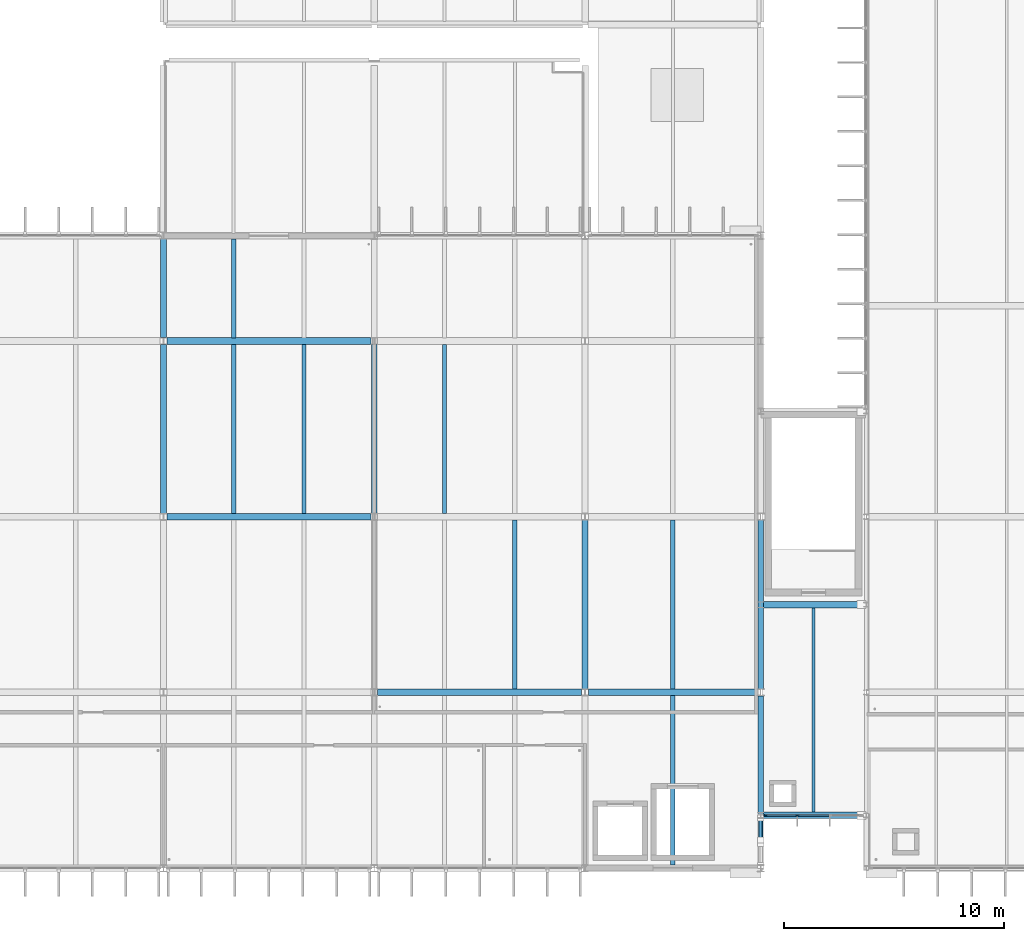
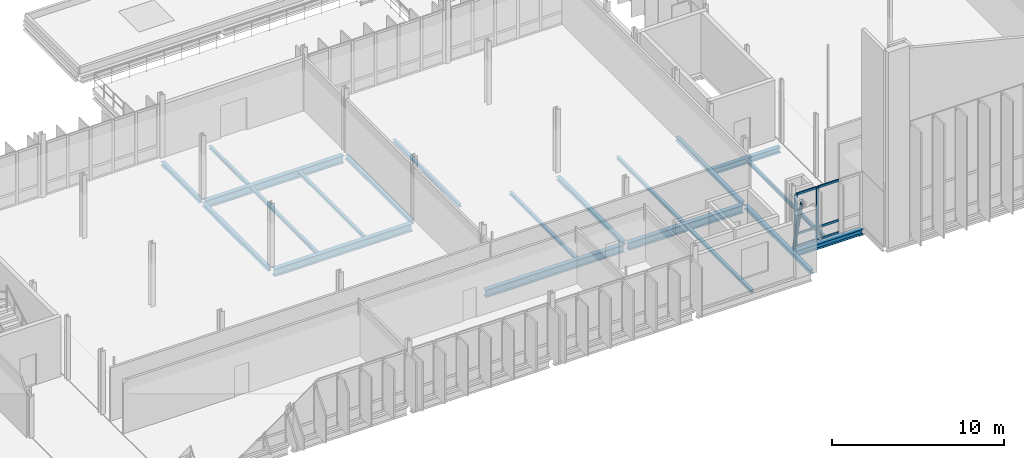
# One storey, part 35 of 110: 20 beams, 9 members, 1 element without a shape of its own.
"""IFC4 building model written with IfcOpenShell, lengths in metres."""

from ifc_helpers import new_model, si_unit, direction, frame, origin, origin_2d, place, context, subcontext, project, spatial, rectangle, hollow_circle, i_section, extrude, material, material_profile, profile_set, type_object, element, aggregate, save


model = new_model("IFC4")

# Units and contexts
model_context = context("Model", 3, precision=1e-05, world=origin(), true_north=direction((0.0, 1.0)))
body_context = subcontext(model_context, "Body", "Model", "MODEL_VIEW")
ifc_project = project(units=[si_unit("LENGTHUNIT", "METRE"), si_unit("AREAUNIT", "SQUARE_METRE"), si_unit("VOLUMEUNIT", "CUBIC_METRE"), si_unit("PLANEANGLEUNIT", "RADIAN"), si_unit("MASSUNIT", "GRAM", prefix="KILO")], contexts=[model_context])

# Site, building, storey
site_placement = place(None, origin())
site = spatial("IfcSite", under=ifc_project, at=site_placement, CompositionType="ELEMENT")
building_placement = place(site_placement, origin())
building = spatial("IfcBuilding", under=site, at=building_placement, Name="Dunescarp Central Library", CompositionType="ELEMENT")
storey_placement = place(building_placement, frame((0.0, 0.0, 9.60009765625)))
storey = spatial("IfcBuildingStorey", under=building, at=storey_placement, Name="L02", CompositionType="ELEMENT", Elevation=9.60009765625)

# Curtain wall, members
ifc_material_1 = material(Name="Marine-grade anodised aluminium 6063-T6", Category="aluminium")
curtain_wall_type = type_object("IfcCurtainWallType", Name="ARC-CW-LINK", PredefinedType="USERDEFINED", material=ifc_material_1)
curtain_wall_placement = place(storey_placement, origin())
curtain_wall = element("IfcCurtainWall", 1, at=curtain_wall_placement, inside=storey, type_object=curtain_wall_type, Name="L02 curtain wall CW-GL3-S-L02", ObjectType="GLAZED_LINK_WALL", PredefinedType="USERDEFINED")
ifc_material_profile_1 = material_profile(ifc_material_1, rectangle(XDim=0.080078125, YDim=0.179931640625, at=origin_2d()), Name="AL 80x180")
ifc_profile_set_1 = profile_set([ifc_material_profile_1], Name="Marine-grade anodised aluminium 6063-T6")
member_type_1 = type_object("IfcMemberType", Name="ARC-CWM-180", PredefinedType="MULLION", material=ifc_profile_set_1)
member_1_placement = place(storey_placement, frame((126.458251953125, 7.199951171875, 0.0), z_axis=(0.0, 0.0, 1.0), x_axis=(0.0, -1.0, 0.0)))
member_1 = element("IfcMember", 2, at=member_1_placement, type_object=member_type_1, Name="CW-GL3-S-L02 mullion 3", PredefinedType="MULLION", context=body_context, shape_type="SweptSolid", body=[
    extrude(rectangle(XDim=0.080078125, YDim=0.179931640625, at=origin_2d()), origin(), (0.0, 0.0, 1.0), 3.77490234375),
])
member_2_placement = place(storey_placement, frame((125.014892578125, 7.199951171875, 0.0), z_axis=(0.0, 0.0, 1.0), x_axis=(0.0, -1.0, 0.0)))
member_2 = element("IfcMember", 3, at=member_2_placement, type_object=member_type_1, Name="CW-GL3-S-L02 mullion 4", PredefinedType="MULLION", context=body_context, shape_type="SweptSolid", body=[
    extrude(rectangle(XDim=0.080078125, YDim=0.179931640625, at=origin_2d()), origin(), (0.0, 0.0, 1.0), 3.77490234375),
])
ifc_material_profile_2 = material_profile(ifc_material_1, rectangle(XDim=0.080078125, YDim=0.14990234375, at=origin_2d()), Name="AL 80x150")
ifc_profile_set_2 = profile_set([ifc_material_profile_2], Name="Marine-grade anodised aluminium 6063-T6")
member_type_2 = type_object("IfcMemberType", Name="ARC-CWT-150", PredefinedType="USERDEFINED", material=ifc_profile_set_2)
member_3_placement = place(storey_placement, frame((127.901611328125, 7.199951171875, 0.039794921875), z_axis=(-1.0, 0.0, 0.0), x_axis=(0.0, -1.0, 0.0)))
member_3 = element("IfcMember", 4, at=member_3_placement, type_object=member_type_2, Name="CW-GL3-S-L02 transom 2.1", ObjectType="TRANSOM", PredefinedType="USERDEFINED", context=body_context, shape_type="SweptSolid", body=[
    extrude(rectangle(XDim=0.080078125, YDim=0.14990234375, at=origin_2d()), origin(), (0.0, 0.0, 1.0), 1.4033203125),
])
member_4_placement = place(storey_placement, frame((127.901611328125, 7.199951171875, 0.89990234375), z_axis=(-1.0, 0.0, 0.0), x_axis=(0.0, -1.0, 0.0)))
member_4 = element("IfcMember", 5, at=member_4_placement, type_object=member_type_2, Name="CW-GL3-S-L02 transom 2.2", ObjectType="TRANSOM", PredefinedType="USERDEFINED", context=body_context, shape_type="SweptSolid", body=[
    extrude(rectangle(XDim=0.080078125, YDim=0.14990234375, at=origin_2d()), origin(), (0.0, 0.0, 1.0), 1.4033203125),
])
member_5_placement = place(storey_placement, frame((127.901611328125, 7.199951171875, 3.73486328125), z_axis=(-1.0, 0.0, 0.0), x_axis=(0.0, -1.0, 0.0)))
member_5 = element("IfcMember", 6, at=member_5_placement, type_object=member_type_2, Name="CW-GL3-S-L02 transom 2.3", ObjectType="TRANSOM", PredefinedType="USERDEFINED", context=body_context, shape_type="SweptSolid", body=[
    extrude(rectangle(XDim=0.080078125, YDim=0.14990234375, at=origin_2d()), origin(), (0.0, 0.0, 1.0), 1.4033203125),
])
member_6_placement = place(storey_placement, frame((126.418212890625, 7.199951171875, 0.039794921875), z_axis=(-1.0, 0.0, 0.0), x_axis=(0.0, -1.0, 0.0)))
member_6 = element("IfcMember", 7, at=member_6_placement, type_object=member_type_2, Name="CW-GL3-S-L02 transom 3.1", ObjectType="TRANSOM", PredefinedType="USERDEFINED", context=body_context, shape_type="SweptSolid", body=[
    extrude(rectangle(XDim=0.080078125, YDim=0.14990234375, at=origin_2d()), origin(), (0.0, 0.0, 1.0), 1.36328125),
])
member_7_placement = place(storey_placement, frame((126.418212890625, 7.199951171875, 0.89990234375), z_axis=(-1.0, 0.0, 0.0), x_axis=(0.0, -1.0, 0.0)))
member_7 = element("IfcMember", 8, at=member_7_placement, type_object=member_type_2, Name="CW-GL3-S-L02 transom 3.2", ObjectType="TRANSOM", PredefinedType="USERDEFINED", context=body_context, shape_type="SweptSolid", body=[
    extrude(rectangle(XDim=0.080078125, YDim=0.14990234375, at=origin_2d()), origin(), (0.0, 0.0, 1.0), 1.36328125),
])
member_8_placement = place(storey_placement, frame((126.418212890625, 7.199951171875, 3.73486328125), z_axis=(-1.0, 0.0, 0.0), x_axis=(0.0, -1.0, 0.0)))
member_8 = element("IfcMember", 9, at=member_8_placement, type_object=member_type_2, Name="CW-GL3-S-L02 transom 3.3", ObjectType="TRANSOM", PredefinedType="USERDEFINED", context=body_context, shape_type="SweptSolid", body=[
    extrude(rectangle(XDim=0.080078125, YDim=0.14990234375, at=origin_2d()), origin(), (0.0, 0.0, 1.0), 1.36328125),
])
aggregate(curtain_wall, [member_1, member_2, member_3, member_4, member_5, member_6, member_7, member_8])

# Beams
ifc_material_2 = material(Name="Steel S355JR", Category="steel")
ifc_material_profile_3 = material_profile(ifc_material_2, i_section(OverallWidth=0.260009765625, OverallDepth=0.25, WebThickness=0.007568359375, FlangeThickness=0.012451171875, at=origin_2d()), Name="HEA 260")
ifc_profile_set_3 = profile_set([ifc_material_profile_3], Name="Steel S355JR")
beam_type_1 = type_object("IfcBeamType", Name="STR-BM-HEA260", PredefinedType="BEAM", material=ifc_profile_set_3)
beam_1_placement = place(storey_placement, frame((97.60009765625, 20.95703125, -0.335205078125), z_axis=(0.0, 1.0, 0.0), x_axis=(-1.0, 0.0, 0.0)))
element("IfcBeam", 10, at=beam_1_placement, inside=storey, type_object=beam_type_1, Name="L02 girder BM-L02-0757", PredefinedType="BEAM", context=body_context, shape_type="SweptSolid", body=[
    extrude(i_section(OverallWidth=0.260009765625, OverallDepth=0.25, WebThickness=0.007568359375, FlangeThickness=0.012451171875, at=origin_2d()), origin(), (0.0, 0.0, 1.0), 7.68603515625),
])
beam_2_placement = place(storey_placement, frame((97.60009765625, 28.95703125, -0.335205078125), z_axis=(0.0, 1.0, 0.0), x_axis=(-1.0, 0.0, 0.0)))
element("IfcBeam", 11, at=beam_2_placement, inside=storey, type_object=beam_type_1, Name="L02 girder BM-L02-0760", PredefinedType="BEAM", context=body_context, shape_type="SweptSolid", body=[
    extrude(i_section(OverallWidth=0.260009765625, OverallDepth=0.25, WebThickness=0.007568359375, FlangeThickness=0.012451171875, at=origin_2d()), origin(), (0.0, 0.0, 1.0), 4.486083984375),
])
for number, where, z_axis, x_axis, name in (
    (12, (107.199951171875, 20.95703125, -0.335205078125), (0.0, 1.0, 0.0), (-1.0, 0.0, 0.0), "L02 girder BM-L02-0772"),
    (13, (116.800048828125, 12.95703125, -0.335205078125), (0.0, 1.0, 0.0), (-1.0, 0.0, 0.0), "L02 girder BM-L02-0785"),
    (14, (124.800048828125, 4.95703125, -0.335205078125), (0.0, 1.0, 0.0), (-1.0, 0.0, 0.0), "L02 girder BM-L02-0798"),
    (15, (124.800048828125, 12.95703125, -0.335205078125), (0.0, 1.0, 0.0), (-1.0, 0.0, 0.0), "L02 girder BM-L02-0801"),
):
    element("IfcBeam", number, at=place(storey_placement, frame(where, z_axis=z_axis, x_axis=x_axis)), inside=storey, type_object=beam_type_1, Name=name, PredefinedType="BEAM", context=body_context, shape_type="SweptSolid", body=[
        extrude(i_section(OverallWidth=0.260009765625, OverallDepth=0.25, WebThickness=0.007568359375, FlangeThickness=0.012451171875, at=origin_2d()), origin(), (0.0, 0.0, 1.0), 7.68603515625),
    ])
ifc_material_profile_4 = material_profile(ifc_material_2, i_section(OverallWidth=0.300048828125, OverallDepth=0.389892578125, WebThickness=0.010986328125, FlangeThickness=0.01904296875, at=origin_2d()), Name="HEA 400")
ifc_profile_set_4 = profile_set([ifc_material_profile_4], Name="Steel S355JR")
beam_type_2 = type_object("IfcBeamType", Name="STR-BM-HEA400", PredefinedType="BEAM", material=ifc_profile_set_4)
for number, where, z_axis, x_axis, name in (
    (16, (124.926025390625, 7.199951171875, -0.405029296875), (1.0, 0.0, 0.0), (0.0, 1.0, 0.0), "L02 girder BM-L02-1261"),
    (17, (124.926025390625, 16.800048828125, -0.405029296875), (1.0, 0.0, 0.0), (0.0, 1.0, 0.0), "L02 girder BM-L02-1262"),
):
    element("IfcBeam", number, at=place(storey_placement, frame(where, z_axis=z_axis, x_axis=x_axis)), inside=storey, type_object=beam_type_2, Name=name, PredefinedType="BEAM", context=body_context, shape_type="SweptSolid", body=[
        extrude(i_section(OverallWidth=0.300048828125, OverallDepth=0.389892578125, WebThickness=0.010986328125, FlangeThickness=0.01904296875, at=origin_2d()), origin(), (0.0, 0.0, 1.0), 4.549072265625),
    ])
ifc_material_profile_5 = material_profile(ifc_material_2, i_section(OverallWidth=0.300048828125, OverallDepth=0.550048828125, WebThickness=0.014892578125, FlangeThickness=0.029052734375, at=origin_2d()), Name="HEB 550")
ifc_profile_set_5 = profile_set([ifc_material_profile_5], Name="Steel S355JR")
beam_type_3 = type_object("IfcBeamType", Name="STR-BM-HEB550", PredefinedType="BEAM", material=ifc_profile_set_5)
for number, where, z_axis, x_axis, name in (
    (18, (97.751953125, 20.800048828125, -0.485107421875), (1.0, 0.0, 0.0), (0.0, 1.0, 0.0), "L02 girder BM-L02-0767"),
    (19, (97.751953125, 28.800048828125, -0.485107421875), (1.0, 0.0, 0.0), (0.0, 1.0, 0.0), "L02 girder BM-L02-0771"),
):
    element("IfcBeam", number, at=place(storey_placement, frame(where, z_axis=z_axis, x_axis=x_axis)), inside=storey, type_object=beam_type_3, Name=name, PredefinedType="BEAM", context=body_context, shape_type="SweptSolid", body=[
        extrude(i_section(OverallWidth=0.300048828125, OverallDepth=0.550048828125, WebThickness=0.014892578125, FlangeThickness=0.029052734375, at=origin_2d()), origin(), (0.0, 0.0, 1.0), 9.296142578125),
    ])
beam_3_placement = place(storey_placement, frame((107.35205078125, 12.800048828125, -0.485107421875), z_axis=(1.0, 0.0, 0.0), x_axis=(0.0, 1.0, 0.0)))
element("IfcBeam", 20, at=beam_3_placement, inside=storey, type_object=beam_type_3, Name="L02 girder BM-L02-0780", PredefinedType="BEAM", context=body_context, shape_type="SweptSolid", body=[
    extrude(i_section(OverallWidth=0.300048828125, OverallDepth=0.550048828125, WebThickness=0.014892578125, FlangeThickness=0.029052734375, at=origin_2d()), origin(), (0.0, 0.0, 1.0), 9.2958984375),
])
beam_4_placement = place(storey_placement, frame((116.951904296875, 12.800048828125, -0.485107421875), z_axis=(1.0, 0.0, 0.0), x_axis=(0.0, 1.0, 0.0)))
element("IfcBeam", 21, at=beam_4_placement, inside=storey, type_object=beam_type_3, Name="L02 girder BM-L02-0797", PredefinedType="BEAM", context=body_context, shape_type="SweptSolid", body=[
    extrude(i_section(OverallWidth=0.300048828125, OverallDepth=0.550048828125, WebThickness=0.014892578125, FlangeThickness=0.029052734375, at=origin_2d()), origin(), (0.0, 0.0, 1.0), 7.696044921875),
])

# Member
ifc_material_3 = material(Name="Steel S355J0", Category="steel")
ifc_material_profile_6 = material_profile(ifc_material_3, hollow_circle(Radius=0.109619140625, WallThickness=0.010009765625, at=origin_2d()), Name="CHS 219.1x10")
ifc_profile_set_6 = profile_set([ifc_material_profile_6], Name="Steel S355J0")
member_type_3 = type_object("IfcMemberType", Name="STR-BR-219", PredefinedType="BRACE", material=ifc_profile_set_6)
member_9_placement = place(storey_placement, frame((124.800048828125, 7.080078125, 0.0), z_axis=(0.0, -0.241398356802, 0.970426109157), x_axis=(1.0, 0.0, 0.0)))
element("IfcMember", 22, at=member_9_placement, inside=storey, type_object=member_type_3, Name="L02 concentric brace BR-L02-046", PredefinedType="BRACE", context=body_context, shape_type="SweptSolid", body=[
    extrude(hollow_circle(Radius=0.109619140625, WallThickness=0.010009765625, at=origin_2d()), origin(), (0.0, 0.0, 1.0), 4.142578125),
])

# Beams
ifc_material_profile_7 = material_profile(ifc_material_2, i_section(OverallWidth=0.199951171875, OverallDepth=0.18994140625, WebThickness=0.006591796875, FlangeThickness=0.010009765625, at=origin_2d()), Name="HEA 200")
ifc_profile_set_7 = profile_set([ifc_material_profile_7], Name="Steel S355JR")
beam_type_4 = type_object("IfcBeamType", Name="STR-JS-HEA200", PredefinedType="JOIST", material=ifc_profile_set_7)
for number, where, z_axis, x_axis, name in (
    (23, (100.800048828125, 20.947998046875, -0.30517578125), (0.0, 1.0, 0.0), (-1.0, 0.0, 0.0), "L02 joist JS-L02-0773"),
    (24, (104.0, 20.947998046875, -0.30517578125), (0.0, 1.0, 0.0), (-1.0, 0.0, 0.0), "L02 joist JS-L02-0774"),
):
    element("IfcBeam", number, at=place(storey_placement, frame(where, z_axis=z_axis, x_axis=x_axis)), inside=storey, type_object=beam_type_4, Name=name, PredefinedType="JOIST", context=body_context, shape_type="SweptSolid", body=[
        extrude(i_section(OverallWidth=0.199951171875, OverallDepth=0.18994140625, WebThickness=0.006591796875, FlangeThickness=0.010009765625, at=origin_2d()), origin(), (0.0, 0.0, 1.0), 7.7041015625),
    ])
beam_5_placement = place(storey_placement, frame((100.800048828125, 28.947998046875, -0.30517578125), z_axis=(0.0, 1.0, 0.0), x_axis=(-1.0, 0.0, 0.0)))
element("IfcBeam", 25, at=beam_5_placement, inside=storey, type_object=beam_type_4, Name="L02 joist JS-L02-0777", PredefinedType="JOIST", context=body_context, shape_type="SweptSolid", body=[
    extrude(i_section(OverallWidth=0.199951171875, OverallDepth=0.18994140625, WebThickness=0.006591796875, FlangeThickness=0.010009765625, at=origin_2d()), origin(), (0.0, 0.0, 1.0), 4.50390625),
])
for number, where, z_axis, x_axis, name in (
    (26, (113.60009765625, 12.947998046875, -0.30517578125), (0.0, 1.0, 0.0), (-1.0, 0.0, 0.0), "L02 joist JS-L02-0787"),
    (27, (110.39990234375, 20.947998046875, -0.30517578125), (0.0, 1.0, 0.0), (-1.0, 0.0, 0.0), "L02 joist JS-L02-0790"),
    (28, (120.800048828125, 4.947998046875, -0.30517578125), (0.0, 1.0, 0.0), (-1.0, 0.0, 0.0), "L02 joist JS-L02-0799"),
    (29, (120.800048828125, 12.947998046875, -0.30517578125), (0.0, 1.0, 0.0), (-1.0, 0.0, 0.0), "L02 joist JS-L02-0802"),
):
    element("IfcBeam", number, at=place(storey_placement, frame(where, z_axis=z_axis, x_axis=x_axis)), inside=storey, type_object=beam_type_4, Name=name, PredefinedType="JOIST", context=body_context, shape_type="SweptSolid", body=[
        extrude(i_section(OverallWidth=0.199951171875, OverallDepth=0.18994140625, WebThickness=0.006591796875, FlangeThickness=0.010009765625, at=origin_2d()), origin(), (0.0, 0.0, 1.0), 7.7041015625),
    ])
ifc_material_profile_8 = material_profile(ifc_material_2, i_section(OverallWidth=0.135009765625, OverallDepth=0.27001953125, WebThickness=0.006591796875, FlangeThickness=0.01025390625, at=origin_2d()), Name="IPE 270")
ifc_profile_set_8 = profile_set([ifc_material_profile_8], Name="Steel S355JR")
beam_type_5 = type_object("IfcBeamType", Name="STR-JS-IPE270", PredefinedType="JOIST", material=ifc_profile_set_8)
beam_6_placement = place(storey_placement, frame((127.199951171875, 7.347900390625, -0.34521484375), z_axis=(0.0, 1.0, 0.0), x_axis=(-1.0, 0.0, 0.0)))
element("IfcBeam", 30, at=beam_6_placement, inside=storey, type_object=beam_type_5, Name="L02 joist JS-L02-1263", PredefinedType="JOIST", context=body_context, shape_type="SweptSolid", body=[
    extrude(i_section(OverallWidth=0.135009765625, OverallDepth=0.27001953125, WebThickness=0.006591796875, FlangeThickness=0.01025390625, at=origin_2d()), origin(), (0.0, 0.0, 1.0), 9.30419921875),
])

save(model, "model.ifc")
